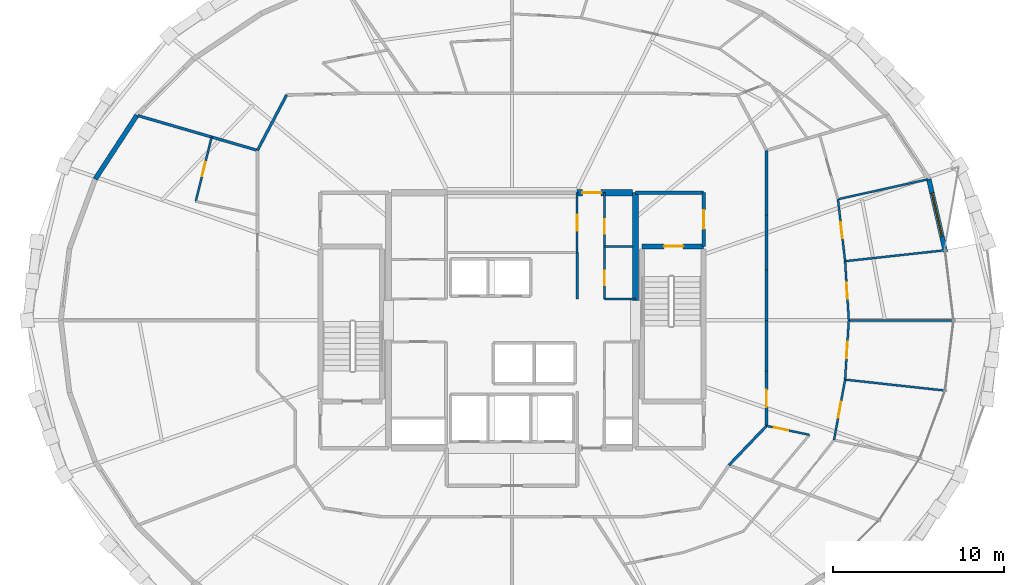
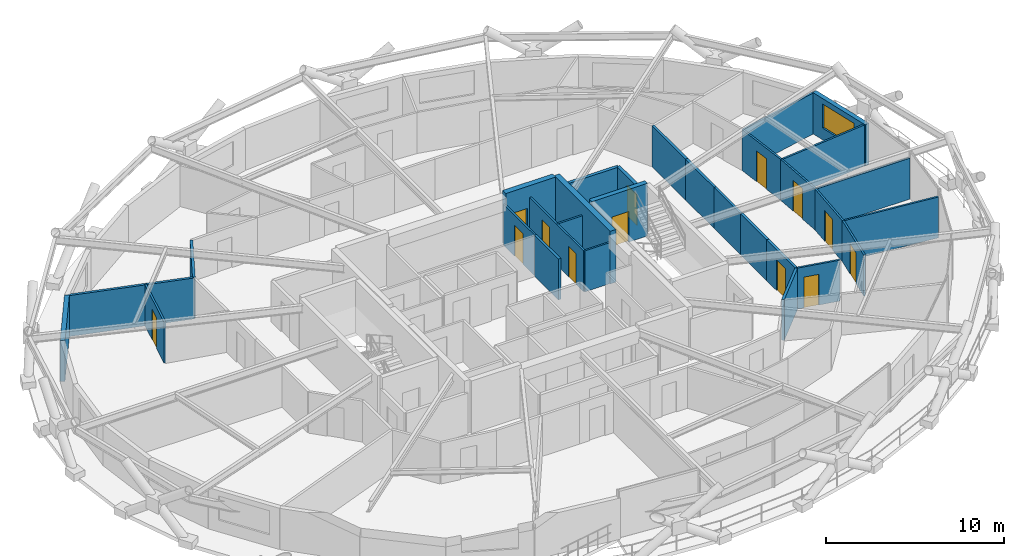
# One storey, part 17 of 20: 30 walls, 13 doors, 1 window, 14 openings.
"""IFC4 building model written with IfcOpenShell, lengths in metres."""

import ifcopenshell
import ifcopenshell.guid

model = None  # the IFC model being written
_history = None  # IfcOwnerHistory: only IFC2X3 demands one
_inside = {}  # id of a spatial element -> (the spatial element, [elements in it])
_under = {}  # id of a project, library or spatial element -> (it, [spatial elements below it])
_declared = {}  # id of a project -> (the project, [libraries it declares])
_typed = {}  # id of a type object -> (the type object, [elements of that type])
_made_of = {}  # id of a material, layer set ... -> (it, [elements and type objects made of it])


def new_model(schema):
    """Start an empty IFC model of exactly this schema.

    Asked for "IFC4X3", IfcOpenShell would pick the latest addendum, in which some entities
    have other attributes; the version numbers below select the first issue.
    IFC2X3 requires an IfcOwnerHistory on every rooted entity: one is made here for all.
    """
    global model, _history
    if schema == "IFC4X3":
        model = ifcopenshell.file(schema_version=(4, 3, 0, 0))
    else:
        model = ifcopenshell.file(schema=schema)
    _inside.clear()
    _under.clear()
    _declared.clear()
    _typed.clear()
    _made_of.clear()
    _history = None
    if model.schema == "IFC2X3":
        org = make("IfcOrganization", Name="unknown")
        user = make(
            "IfcPersonAndOrganization",
            ThePerson=make("IfcPerson", FamilyName="unknown"),
            TheOrganization=org,
        )
        app = make(
            "IfcApplication",
            ApplicationDeveloper=org,
            Version="unknown",
            ApplicationFullName="unknown",
            ApplicationIdentifier="unknown",
        )
        _history = make(
            "IfcOwnerHistory",
            OwningUser=user,
            OwningApplication=app,
            ChangeAction="ADDED",
            CreationDate=0,
        )
    return model


def make(cls, **values):
    """One entity of the class cls with the attributes given. An attribute that is None is left unset."""
    return model.create_entity(
        cls, **{name: value for name, value in values.items() if value is not None}
    )


def rooted(cls, **values):
    """An entity with a GlobalId (a new one), such as an element, a storey or a relation."""
    return make(cls, GlobalId=ifcopenshell.guid.new(), OwnerHistory=_history, **values)


def si_unit(unit_type, name, prefix=None):
    """IfcSIUnit, for example si_unit("LENGTHUNIT", "METRE", prefix="MILLI")."""
    return make("IfcSIUnit", UnitType=unit_type, Prefix=prefix, Name=name)


def assignment(units):
    """IfcUnitAssignment: the units of a project."""
    return None if units is None else make("IfcUnitAssignment", Units=units)


def point(xyz):
    """IfcCartesianPoint."""
    return None if xyz is None else make("IfcCartesianPoint", Coordinates=xyz)


def direction(xyz):
    """IfcDirection."""
    return None if xyz is None else make("IfcDirection", DirectionRatios=xyz)


def frame(location, z_axis=None, x_axis=None):
    """IfcAxis2Placement3D, a coordinate frame: its origin and axes. An axis left out is left unset."""
    return make(
        "IfcAxis2Placement3D",
        Location=point(location),
        Axis=direction(z_axis),
        RefDirection=direction(x_axis),
    )


def frame_2d(location, x_axis=None):
    """IfcAxis2Placement2D, a coordinate frame in the plane: its origin and x axis."""
    return make(
        "IfcAxis2Placement2D", Location=point(location), RefDirection=direction(x_axis)
    )


def origin():
    """The frame at (0, 0, 0) with its axes left unset."""
    return frame((0.0, 0.0, 0.0))


def place(relative_to, where):
    """IfcLocalPlacement: puts the frame where relative to a parent placement (None: the world)."""
    return make(
        "IfcLocalPlacement", PlacementRelTo=relative_to, RelativePlacement=where
    )


def context(
    kind, dimensions, precision=None, world=None, true_north=None, identifier=None
):
    """IfcGeometricRepresentationContext, for example the 3D "Model" context."""
    return make(
        "IfcGeometricRepresentationContext",
        ContextIdentifier=identifier,
        ContextType=kind,
        CoordinateSpaceDimension=dimensions,
        Precision=precision,
        WorldCoordinateSystem=world,
        TrueNorth=true_north,
    )


def subcontext(parent, identifier, kind, view, scale=None):
    """IfcGeometricRepresentationSubContext, for example "Body" below "Model"."""
    return make(
        "IfcGeometricRepresentationSubContext",
        ContextIdentifier=identifier,
        ContextType=kind,
        ParentContext=parent,
        TargetScale=scale,
        TargetView=view,
    )


def project(units=None, contexts=None):
    """IfcProject with its units and contexts."""
    return rooted(
        "IfcProject",
        Name="project",
        RepresentationContexts=contexts,
        UnitsInContext=assignment(units),
    )


def spatial(cls, under=None, at=None, **own):
    """A site, building, storey or space (cls), placed at a placement, below another one or the project."""
    s = rooted(cls, ObjectPlacement=at, **own)
    if under is not None:
        _under.setdefault(under.id(), (under, []))[1].append(s)
    return s


def profile(cls, at=None, kind="AREA", **sizes):
    """A parametric profile (cls). Its sizes go by their IFC names, for example OverallWidth=200.0."""
    return make(cls, ProfileType=kind, Position=at, **sizes)


def rectangle(**sizes):
    """IfcRectangleProfileDef."""
    return profile("IfcRectangleProfileDef", **sizes)


def extrude(swept, where, along, depth):
    """IfcExtrudedAreaSolid: the profile swept, set in the frame where, extruded along a direction by depth."""
    return make(
        "IfcExtrudedAreaSolid",
        SweptArea=swept,
        Position=where,
        ExtrudedDirection=direction(along),
        Depth=depth,
    )


def shape(context_of_items, identifier, shape_type, items):
    """IfcShapeRepresentation: the items that make up one representation, for example the "Body"."""
    return make(
        "IfcShapeRepresentation",
        ContextOfItems=context_of_items,
        RepresentationIdentifier=identifier,
        RepresentationType=shape_type,
        Items=items,
    )


def material(Name=None, Category=None):
    """IfcMaterial."""
    return make("IfcMaterial", Name=Name, Category=Category)


def layer(
    of_material, thickness, ventilated=None, Name=None, Category=None, Priority=None
):
    """IfcMaterialLayer: one layer of a wall or slab, of a material (None: an air gap)."""
    return make(
        "IfcMaterialLayer",
        Material=of_material,
        LayerThickness=thickness,
        IsVentilated=ventilated,
        Name=Name,
        Category=Category,
        Priority=Priority,
    )


def layer_set(layers, Name=None):
    """IfcMaterialLayerSet."""
    return make("IfcMaterialLayerSet", MaterialLayers=layers, LayerSetName=Name)


def made_of(thing, what):
    """Note that an element or type object is made of a material, layer set ...; save() writes the relation."""
    if what is not None:
        _made_of.setdefault(what.id(), (what, []))[1].append(thing)
    return thing


def type_object(cls, material=None, **own):
    """A type object (cls), such as IfcWallType, which elements share."""
    return made_of(rooted(cls, **own), material)


def element(
    cls,
    number,
    at=None,
    inside=None,
    cuts=None,
    type_object=None,
    material=None,
    context=None,
    identifier="Body",
    shape_type=None,
    held_by="IfcProductDefinitionShape",
    body=None,
    shapes=None,
    **own,
):
    """One element of the class cls, such as IfcWall. Its Tag is "e" and its number.

    at: its placement. inside: the storey or other place that contains it. cuts: it is an
    opening in that element (IfcRelVoidsElement). A single representation is given by context,
    identifier, shape_type and body (its items); several are given by shapes. held_by: the class
    of the entity that holds the representations. save() writes the other relations.
    """
    e = rooted(cls, Tag="e%d" % number, ObjectPlacement=at, **own)
    if body is not None:
        shapes = [shape(context, identifier, shape_type, body)]
    if shapes is not None:
        e.Representation = make(held_by, Representations=shapes)
    if inside is not None:
        _inside.setdefault(inside.id(), (inside, []))[1].append(e)
    if cuts is not None:
        rooted(
            "IfcRelVoidsElement", RelatingBuildingElement=cuts, RelatedOpeningElement=e
        )
    if type_object is not None:
        _typed.setdefault(type_object.id(), (type_object, []))[1].append(e)
    return made_of(e, material)


def fill(opening, filler):
    """IfcRelFillsElement: the door or window that sits in an opening."""
    return rooted(
        "IfcRelFillsElement",
        RelatingOpeningElement=opening,
        RelatedBuildingElement=filler,
    )


def aggregate(whole, parts):
    """IfcRelAggregates: a whole, such as a stair, and the parts it consists of."""
    return rooted("IfcRelAggregates", RelatingObject=whole, RelatedObjects=parts)


def save(model, path):
    """Write the relations noted so far, then the file.

    IfcRelAggregates (storeys below a building ...), IfcRelContainedInSpatialStructure (elements
    in a storey), IfcRelDefinesByType, IfcRelAssociatesMaterial and IfcRelDeclares: one each for
    every whole, place, type object, material and project.
    """
    for whole, parts in _under.values():
        aggregate(whole, parts)
    for where, things in _inside.values():
        rooted(
            "IfcRelContainedInSpatialStructure",
            RelatedElements=things,
            RelatingStructure=where,
        )
    for kind, things in _typed.values():
        rooted("IfcRelDefinesByType", RelatedObjects=things, RelatingType=kind)
    for what, things in _made_of.values():
        rooted("IfcRelAssociatesMaterial", RelatedObjects=things, RelatingMaterial=what)
    for by, libraries in _declared.values():
        rooted("IfcRelDeclares", RelatingContext=by, RelatedDefinitions=libraries)
    model.write(path)


model = new_model("IFC4")

# Units and contexts
model_context = context("Model", 3, precision=1e-05, world=origin(), true_north=direction((0.0, 1.0)))
body_context = subcontext(model_context, "Body", "Model", "MODEL_VIEW")
ifc_project = project(units=[si_unit("LENGTHUNIT", "METRE"), si_unit("AREAUNIT", "SQUARE_METRE"), si_unit("VOLUMEUNIT", "CUBIC_METRE"), si_unit("PLANEANGLEUNIT", "RADIAN"), si_unit("MASSUNIT", "GRAM", prefix="KILO")], contexts=[model_context])

# Site, building, storey
site_placement = place(None, origin())
site = spatial("IfcSite", under=ifc_project, at=site_placement, CompositionType="ELEMENT")
building_placement = place(site_placement, origin())
building = spatial("IfcBuilding", under=site, at=building_placement, Name="Veldorina Hangang Commons", CompositionType="ELEMENT")
storey_placement = place(building_placement, frame((0.0, 0.0, 153.199951171875)))
storey = spatial("IfcBuildingStorey", under=building, at=storey_placement, Name="L39", CompositionType="ELEMENT", Elevation=153.199951171875)

# Wall
ifc_material_1 = material(Name="Concrete C60/75", Category="concrete")
ifc_layer_1 = layer(ifc_material_1, 0.360107421875)
ifc_layer_set_1 = layer_set([ifc_layer_1], Name="Concrete C60/75")
wall_type_1 = type_object("IfcWallType", Name="CW-RC360-C60", PredefinedType="SHEAR", material=ifc_layer_set_1)
wall_1_placement = place(storey_placement, frame((39.199951171875, 25.14990234375, 0.0), z_axis=(0.0, 0.0, 1.0), x_axis=(0.0, 1.0, 0.0)))
element("IfcWall", 1, at=wall_1_placement, inside=storey, type_object=wall_type_1, Name="L39 E north core shear wall", PredefinedType="SHEAR", context=body_context, shape_type="SweptSolid", body=[
    extrude(rectangle(XDim=6.300048828125, YDim=0.360107421875, at=frame_2d((3.14990234375, 0.0))), origin(), (0.0, 0.0, 1.0), 3.60009765625),
])

# Wall, opening, door
wall_2_placement = place(storey_placement, frame((35.800048828125, 31.449951171875, 0.0), z_axis=(0.0, 0.0, 1.0), x_axis=(1.0, 0.0, 0.0)))
wall_2 = element("IfcWall", 2, at=wall_2_placement, inside=storey, type_object=wall_type_1, Name="L39 north-east core shear wall", PredefinedType="SHEAR", context=body_context, shape_type="SweptSolid", body=[
    extrude(rectangle(XDim=3.219970703125, YDim=0.360107421875, at=frame_2d((1.60986328125, 0.0))), origin(), (0.0, 0.0, 1.0), 3.60009765625),
])
opening_1_placement = place(wall_2_placement, frame((0.300048828125, 0.0, 0.0)))
opening_1 = element("IfcOpeningElement", 3, at=opening_1_placement, cuts=wall_2, Name="Opening D-08", PredefinedType="OPENING", context=body_context, shape_type="SweptSolid", body=[
    extrude(rectangle(XDim=1.10009765625, YDim=2.10009765625, at=frame_2d((0.550048828125, 1.050048828125))), frame((0.0, 0.18994140625, 0.0), z_axis=(0.0, -1.0, 0.0), x_axis=(1.0, 0.0, 0.0)), (0.0, 0.0, 1.0), 0.380126953125),
])
ifc_material_2 = material(Name="Steel Fire-Rated Smoke Seal", Category="steel")
door_type_1 = type_object("IfcDoorType", Name="DR-FIRE-1100", OperationType="SINGLE_SWING_RIGHT", PredefinedType="DOOR", material=ifc_material_2)
door_1_placement = place(opening_1_placement, origin())
door_1 = element("IfcDoor", 4, at=door_1_placement, inside=storey, type_object=door_type_1, Name="L39 central lift lobby north corridor door", OperationType="SINGLE_SWING_LEFT", OverallHeight=2.10009765625, OverallWidth=1.10009765625, PredefinedType="DOOR", context=body_context, shape_type="SweptSolid", body=[
    extrude(rectangle(XDim=1.10009765625, YDim=2.10009765625, at=frame_2d((0.550048828125, 1.050048828125))), frame((0.0, 0.02490234375, 0.0), z_axis=(0.0, -1.0, 0.0), x_axis=(1.0, 0.0, 0.0)), (0.0, 0.0, 1.0), 0.050048828125),
])
fill(opening_1, door_1)

# Wall, opening, window
ifc_material_3 = material(Name="Stone Roman Travertine", Category="masonry")
ifc_layer_2 = layer(ifc_material_3, 0.280029296875)
ifc_layer_set_2 = layer_set([ifc_layer_2], Name="Stone Roman Travertine")
wall_type_2 = type_object("IfcWallType", Name="EW-TRAV-280", PredefinedType="STANDARD", material=ifc_layer_set_2)
wall_3_placement = place(storey_placement, frame((57.2861328125, 28.002685546875, 0.0), z_axis=(0.0, 0.0, 1.0), x_axis=(-0.222841571078, 0.974854673374, 0.0)))
wall_3 = element("IfcWall", 5, at=wall_3_placement, inside=storey, type_object=wall_type_2, Name="L39 travertine facade wall 01", PredefinedType="STANDARD", context=body_context, shape_type="SweptSolid", body=[
    extrude(rectangle(XDim=4.348388671875, YDim=0.280029296875, at=frame_2d((2.17431640625, 0.0))), origin(), (0.0, 0.0, 1.0), 2.820068359375),
])
opening_2_placement = place(wall_3_placement, frame((0.920166015625, 0.0, 0.800048828125)))
opening_2 = element("IfcOpeningElement", 6, at=opening_2_placement, cuts=wall_3, Name="Opening W-02", PredefinedType="OPENING", context=body_context, shape_type="SweptSolid", body=[
    extrude(rectangle(XDim=2.60009765625, YDim=1.64990234375, at=frame_2d((1.300048828125, 0.824951171875))), frame((0.0, 0.14990234375, 0.0), z_axis=(0.0, -1.0, 0.0), x_axis=(1.0, 0.0, 0.0)), (0.0, 0.0, 1.0), 0.300048828125),
])
ifc_material_4 = material(Name="Glass Low-E Triple IGU", Category="glass")
window_type = type_object("IfcWindowType", Name="WIN-TWR-2600", PartitioningType="SINGLE_PANEL", PredefinedType="WINDOW", material=ifc_material_4)
window_placement = place(opening_2_placement, origin())
window = element("IfcWindow", 7, at=window_placement, inside=storey, type_object=window_type, Name="L39 facade window 01", OverallHeight=1.64990234375, OverallWidth=2.60009765625, PartitioningType="SINGLE_PANEL", PredefinedType="WINDOW", context=body_context, shape_type="SweptSolid", body=[
    extrude(rectangle(XDim=2.60009765625, YDim=1.64990234375, at=frame_2d((1.300048828125, 0.824951171875))), frame((0.0, 0.030029296875, 0.0), z_axis=(0.0, -1.0, 0.0), x_axis=(1.0, 0.0, 0.0)), (0.0, 0.0, 1.0), 0.06005859375),
])
fill(opening_2, window)

# Wall
wall_4_placement = place(storey_placement, frame((10.115234375, 35.965087890625, 0.0), z_axis=(0.0, 0.0, 1.0), x_axis=(-0.546910623985, -0.837190999338, 0.0)))
element("IfcWall", 8, at=wall_4_placement, inside=storey, type_object=wall_type_2, Name="L39 travertine facade wall 13", PredefinedType="STANDARD", context=body_context, shape_type="SweptSolid", body=[
    extrude(rectangle(XDim=4.447509765625, YDim=0.280029296875, at=frame_2d((2.2236328125, 0.0))), origin(), (0.0, 0.0, 1.0), 2.820068359375),
])

# Wall, opening, door
ifc_material_5 = material(Name="Concrete C50/60", Category="concrete")
ifc_layer_3 = layer(ifc_material_5, 0.300048828125)
ifc_layer_set_3 = layer_set([ifc_layer_3], Name="Concrete C50/60")
wall_type_3 = type_object("IfcWallType", Name="SW-STAIR-300", PredefinedType="SHEAR", material=ifc_layer_set_3)
wall_5_placement = place(storey_placement, frame((39.580078125, 28.320068359375, 0.0), z_axis=(0.0, 0.0, 1.0), x_axis=(1.0, 0.0, 0.0)))
wall_5 = element("IfcWall", 9, at=wall_5_placement, inside=storey, type_object=wall_type_3, Name="L39 ST2 north stair shear wall", PredefinedType="SHEAR", context=body_context, shape_type="SweptSolid", body=[
    extrude(rectangle(XDim=3.599853515625, YDim=0.300048828125, at=frame_2d((1.7998046875, 0.0))), origin(), (0.0, 0.0, 1.0), 3.60009765625),
])
opening_3_placement = place(wall_5_placement, frame((1.300048828125, 0.0, 0.0)))
opening_3 = element("IfcOpeningElement", 10, at=opening_3_placement, cuts=wall_5, Name="Opening D-08", PredefinedType="OPENING", context=body_context, shape_type="SweptSolid", body=[
    extrude(rectangle(XDim=1.10009765625, YDim=2.10009765625, at=frame_2d((0.550048828125, 1.050048828125))), frame((0.0, 0.16015625, 0.0), z_axis=(0.0, -1.0, 0.0), x_axis=(1.0, 0.0, 0.0)), (0.0, 0.0, 1.0), 0.320068359375),
])
door_2_placement = place(opening_3_placement, origin())
door_2 = element("IfcDoor", 11, at=door_2_placement, inside=storey, type_object=door_type_1, Name="L39 Special Escape Stair ST-2 door", OperationType="SINGLE_SWING_RIGHT", OverallHeight=2.10009765625, OverallWidth=1.10009765625, PredefinedType="DOOR", context=body_context, shape_type="SweptSolid", body=[
    extrude(rectangle(XDim=1.10009765625, YDim=2.10009765625, at=frame_2d((0.550048828125, 1.050048828125))), frame((0.0, 0.02490234375, 0.0), z_axis=(0.0, -1.0, 0.0), x_axis=(1.0, 0.0, 0.0)), (0.0, 0.0, 1.0), 0.050048828125),
])
fill(opening_3, door_2)

# Walls
ifc_material_6 = material(Name="Gypsum Fire-Rated Twin Stud Wall", Category="gypsum")
ifc_layer_4 = layer(ifc_material_6, 0.159912109375)
ifc_layer_set_4 = layer_set([ifc_layer_4], Name="Gypsum Fire-Rated Twin Stud Wall")
wall_type_4 = type_object("IfcWallType", Name="WL-FIRE-160", PredefinedType="SOLIDWALL", material=ifc_layer_set_4)
wall_6_placement = place(storey_placement, frame((35.800048828125, 25.25, 0.0), z_axis=(0.0, 0.0, 1.0), x_axis=(0.0, 1.0, 0.0)))
element("IfcWall", 12, at=wall_6_placement, inside=storey, type_object=wall_type_4, Name="L39 Lift passage NW lower wall 011", PredefinedType="SOLIDWALL", context=body_context, shape_type="SweptSolid", body=[
    extrude(rectangle(XDim=2.699951171875, YDim=0.159912109375, at=frame_2d((1.35009765625, 0.0))), origin(), (0.0, 0.0, 1.0), 2.800048828125),
])
wall_7_placement = place(storey_placement, frame((46.85009765625, 24.0, 0.0), z_axis=(0.0, 0.0, 1.0), x_axis=(0.0, 1.0, 0.0)))
element("IfcWall", 13, at=wall_7_placement, inside=storey, type_object=wall_type_4, Name="L39 U-corridor outer wall 00 046", PredefinedType="SOLIDWALL", context=body_context, shape_type="SweptSolid", body=[
    extrude(rectangle(XDim=2.953857421875, YDim=0.159912109375, at=frame_2d((1.47705078125, 0.0))), origin(), (0.0, 0.0, 1.0), 2.800048828125),
])
wall_8_placement = place(storey_placement, frame((46.85009765625, 26.953857421875, 0.0), z_axis=(0.0, 0.0, 1.0), x_axis=(0.0, 1.0, 0.0)))
element("IfcWall", 14, at=wall_8_placement, inside=storey, type_object=wall_type_4, Name="L39 U-corridor outer wall 01 047", PredefinedType="SOLIDWALL", context=body_context, shape_type="SweptSolid", body=[
    extrude(rectangle(XDim=3.197265625, YDim=0.159912109375, at=frame_2d((1.5986328125, 0.0))), origin(), (0.0, 0.0, 1.0), 2.800048828125),
])
wall_9_placement = place(storey_placement, frame((46.85009765625, 30.151123046875, 0.0), z_axis=(0.0, 0.0, 1.0), x_axis=(0.0, 1.0, 0.0)))
element("IfcWall", 15, at=wall_9_placement, inside=storey, type_object=wall_type_4, Name="L39 U-corridor outer wall 02 048", PredefinedType="SOLIDWALL", context=body_context, shape_type="SweptSolid", body=[
    extrude(rectangle(XDim=3.771484375, YDim=0.159912109375, at=frame_2d((1.8857421875, 0.0))), origin(), (0.0, 0.0, 1.0), 2.800048828125),
])
wall_10_placement = place(storey_placement, frame((18.85009765625, 37.14990234375, 0.0), z_axis=(0.0, 0.0, 1.0), x_axis=(-0.466093963429, -0.884735224378, 0.0)))
element("IfcWall", 16, at=wall_10_placement, inside=storey, type_object=wall_type_4, Name="L39 U-corridor outer wall 12 058", PredefinedType="SOLIDWALL", context=body_context, shape_type="SweptSolid", body=[
    extrude(rectangle(XDim=3.647705078125, YDim=0.159912109375, at=frame_2d((1.82373046875, 0.0))), origin(), (0.0, 0.0, 1.0), 2.800048828125),
])
wall_11_placement = place(storey_placement, frame((44.64990234375, 15.547607421875, 0.0), z_axis=(0.0, 0.0, 1.0), x_axis=(0.691055487108, 0.722801711216, 0.0)))
element("IfcWall", 17, at=wall_11_placement, inside=storey, type_object=wall_type_4, Name="L39 U-corridor outer wall 29 075", PredefinedType="SOLIDWALL", context=body_context, shape_type="SweptSolid", body=[
    extrude(rectangle(XDim=3.183837890625, YDim=0.159912109375, at=frame_2d((1.591796875, 0.0))), origin(), (0.0, 0.0, 1.0), 2.800048828125),
])

# Wall, opening, door
wall_12_placement = place(storey_placement, frame((46.85009765625, 17.848876953125, 0.0), z_axis=(0.0, 0.0, 1.0), x_axis=(0.0, 1.0, 0.0)))
wall_12 = element("IfcWall", 18, at=wall_12_placement, inside=storey, type_object=wall_type_4, Name="L39 U-corridor outer wall 30 076", PredefinedType="SOLIDWALL", context=body_context, shape_type="SweptSolid", body=[
    extrude(rectangle(XDim=3.197265625, YDim=0.159912109375, at=frame_2d((1.5986328125, 0.0))), origin(), (0.0, 0.0, 1.0), 2.800048828125),
])
opening_4_placement = place(wall_12_placement, frame((1.0986328125, 0.0, 0.0)))
opening_4 = element("IfcOpeningElement", 19, at=opening_4_placement, cuts=wall_12, Name="Opening D-06", PredefinedType="OPENING", context=body_context, shape_type="SweptSolid", body=[
    extrude(rectangle(XDim=1.0, YDim=2.10009765625, at=frame_2d((0.5, 1.050048828125))), frame((0.0, 0.08984375, 0.0), z_axis=(0.0, -1.0, 0.0), x_axis=(1.0, 0.0, 0.0)), (0.0, 0.0, 1.0), 0.179931640625),
])
ifc_material_7 = material(Name="Timber Fire-Rated Entrance Core", Category="wood")
door_type_2 = type_object("IfcDoorType", Name="DR-UNIT-1000", OperationType="SINGLE_SWING_LEFT", PredefinedType="DOOR", material=ifc_material_7)
door_3_placement = place(opening_4_placement, origin())
door_3 = element("IfcDoor", 20, at=door_3_placement, inside=storey, type_object=door_type_2, Name="L39 Cluster 2 entrance door 021", OperationType="SINGLE_SWING_LEFT", OverallHeight=2.10009765625, OverallWidth=1.0, PredefinedType="DOOR", context=body_context, shape_type="SweptSolid", body=[
    extrude(rectangle(XDim=1.0, YDim=2.10009765625, at=frame_2d((0.5, 1.050048828125))), frame((0.0, 0.02490234375, 0.0), z_axis=(0.0, -1.0, 0.0), x_axis=(1.0, 0.0, 0.0)), (0.0, 0.0, 1.0), 0.050048828125),
])
fill(opening_4, door_3)

# Walls
wall_13_placement = place(storey_placement, frame((46.85009765625, 21.046142578125, 0.0), z_axis=(0.0, 0.0, 1.0), x_axis=(0.0, 1.0, 0.0)))
element("IfcWall", 21, at=wall_13_placement, inside=storey, type_object=wall_type_4, Name="L39 U-corridor outer wall 31 077", PredefinedType="SOLIDWALL", context=body_context, shape_type="SweptSolid", body=[
    extrude(rectangle(XDim=2.953857421875, YDim=0.159912109375, at=frame_2d((1.47705078125, 0.0))), origin(), (0.0, 0.0, 1.0), 2.800048828125),
])
wall_14_placement = place(storey_placement, frame((17.14990234375, 33.922607421875, 0.0), z_axis=(0.0, 0.0, 1.0), x_axis=(-0.960341299292, 0.278827166672, 0.0)))
element("IfcWall", 22, at=wall_14_placement, inside=storey, type_object=wall_type_4, Name="L39 Unit party wall 13 110", PredefinedType="SOLIDWALL", context=body_context, shape_type="SweptSolid", body=[
    extrude(rectangle(XDim=7.275390625, YDim=0.159912109375, at=frame_2d((3.6376953125, 0.0))), origin(), (0.0, 0.0, 1.0), 2.800048828125),
])

# Wall, opening, door
ifc_material_8 = material(Name="Concrete Blockwork Fire Wall C30/37", Category="masonry")
ifc_layer_5 = layer(ifc_material_8, 0.199951171875)
ifc_layer_set_5 = layer_set([ifc_layer_5], Name="Concrete Blockwork Fire Wall C30/37")
wall_type_5 = type_object("IfcWallType", Name="WL-FIRE-200", PredefinedType="SOLIDWALL", material=ifc_layer_set_5)
wall_15_placement = place(storey_placement, frame((43.179931640625, 28.320068359375, 0.0), z_axis=(0.0, 0.0, 1.0), x_axis=(0.0, 1.0, 0.0)))
wall_15 = element("IfcWall", 23, at=wall_15_placement, inside=storey, type_object=wall_type_5, Name="L39 East vestibule outer wall 003", PredefinedType="SOLIDWALL", context=body_context, shape_type="SweptSolid", body=[
    extrude(rectangle(XDim=3.1298828125, YDim=0.199951171875, at=frame_2d((1.56494140625, 0.0))), origin(), (0.0, 0.0, 1.0), 2.800048828125),
])
opening_5_placement = place(wall_15_placement, frame((1.014892578125, 0.0, 0.0)))
opening_5 = element("IfcOpeningElement", 24, at=opening_5_placement, cuts=wall_15, Name="Opening D-08", PredefinedType="OPENING", context=body_context, shape_type="SweptSolid", body=[
    extrude(rectangle(XDim=1.10009765625, YDim=2.10009765625, at=frame_2d((0.550048828125, 1.050048828125))), frame((0.0, 0.10986328125, 0.0), z_axis=(0.0, -1.0, 0.0), x_axis=(1.0, 0.0, 0.0)), (0.0, 0.0, 1.0), 0.219970703125),
])
door_4_placement = place(opening_5_placement, origin())
door_4 = element("IfcDoor", 25, at=door_4_placement, inside=storey, type_object=door_type_1, Name="L39 East vestibule east door 002", OperationType="SINGLE_SWING_RIGHT", OverallHeight=2.10009765625, OverallWidth=1.10009765625, PredefinedType="DOOR", context=body_context, shape_type="SweptSolid", body=[
    extrude(rectangle(XDim=1.10009765625, YDim=2.10009765625, at=frame_2d((0.550048828125, 1.050048828125))), frame((0.0, 0.02490234375, 0.0), z_axis=(0.0, -1.0, 0.0), x_axis=(1.0, 0.0, 0.0)), (0.0, 0.0, 1.0), 0.050048828125),
])
fill(opening_5, door_4)

# Wall
wall_16_placement = place(storey_placement, frame((39.199951171875, 31.449951171875, 0.0), z_axis=(0.0, 0.0, 1.0), x_axis=(1.0, 0.0, 0.0)))
element("IfcWall", 26, at=wall_16_placement, inside=storey, type_object=wall_type_5, Name="L39 East vestibule north wall 004", PredefinedType="SOLIDWALL", context=body_context, shape_type="SweptSolid", body=[
    extrude(rectangle(XDim=3.97998046875, YDim=0.199951171875, at=frame_2d((1.989990234375, 0.0))), origin(), (0.0, 0.0, 1.0), 2.800048828125),
])

# Wall, opening, door
ifc_material_9 = material(Name="Gypsum Acoustic Stud Partition", Category="gypsum")
ifc_layer_6 = layer(ifc_material_9, 0.1201171875)
ifc_layer_set_6 = layer_set([ifc_layer_6], Name="Gypsum Acoustic Stud Partition")
wall_type_6 = type_object("IfcWallType", Name="WL-PART-120", PredefinedType="PARTITIONING", material=ifc_layer_set_6)
wall_17_placement = place(storey_placement, frame((35.800048828125, 27.949951171875, 0.0), z_axis=(0.0, 0.0, 1.0), x_axis=(0.0, 1.0, 0.0)))
wall_17 = element("IfcWall", 27, at=wall_17_placement, inside=storey, type_object=wall_type_6, Name="L39 Merged north east wall 033", PredefinedType="PARTITIONING", context=body_context, shape_type="SweptSolid", body=[
    extrude(rectangle(XDim=3.5, YDim=0.1201171875, at=frame_2d((1.75, 0.0))), origin(), (0.0, 0.0, 1.0), 2.800048828125),
])
opening_6_placement = place(wall_17_placement, frame((1.27490234375, 0.0, 0.0)))
opening_6 = element("IfcOpeningElement", 28, at=opening_6_placement, cuts=wall_17, Name="Opening D-02", PredefinedType="OPENING", context=body_context, shape_type="SweptSolid", body=[
    extrude(rectangle(XDim=0.949951171875, YDim=2.10009765625, at=frame_2d((0.47509765625, 1.050048828125))), frame((0.0, 0.070068359375, 0.0), z_axis=(0.0, -1.0, 0.0), x_axis=(1.0, 0.0, 0.0)), (0.0, 0.0, 1.0), 0.14013671875),
])
ifc_material_10 = material(Name="Timber Solid Core Acoustic", Category="wood")
door_type_3 = type_object("IfcDoorType", Name="DR-INT-950", OperationType="SINGLE_SWING_LEFT", PredefinedType="DOOR", material=ifc_material_10)
door_5_placement = place(opening_6_placement, origin())
door_5 = element("IfcDoor", 29, at=door_5_placement, inside=storey, type_object=door_type_3, Name="L39 Merged north room lobby door 011", OperationType="SINGLE_SWING_LEFT", OverallHeight=2.10009765625, OverallWidth=0.949951171875, PredefinedType="DOOR", context=body_context, shape_type="SweptSolid", body=[
    extrude(rectangle(XDim=0.949951171875, YDim=2.10009765625, at=frame_2d((0.47509765625, 1.050048828125))), frame((0.0, 0.02490234375, 0.0), z_axis=(0.0, -1.0, 0.0), x_axis=(1.0, 0.0, 0.0)), (0.0, 0.0, 1.0), 0.050048828125),
])
fill(opening_6, door_5)

# Wall, openings, doors
wall_18_placement = place(storey_placement, frame((37.39990234375, 25.25, 0.0), z_axis=(0.0, 0.0, 1.0), x_axis=(0.0, 1.0, 0.0)))
wall_18 = element("IfcWall", 30, at=wall_18_placement, inside=storey, type_object=wall_type_6, Name="L39 NE strip lobby wall 040", PredefinedType="PARTITIONING", context=body_context, shape_type="SweptSolid", body=[
    extrude(rectangle(XDim=6.199951171875, YDim=0.1201171875, at=frame_2d((3.10009765625, 0.0))), origin(), (0.0, 0.0, 1.0), 2.800048828125),
])
opening_7_placement = place(wall_18_placement, frame((0.800048828125, 0.0, 0.0)))
opening_7 = element("IfcOpeningElement", 31, at=opening_7_placement, cuts=wall_18, Name="Opening D-01", PredefinedType="OPENING", context=body_context, shape_type="SweptSolid", body=[
    extrude(rectangle(XDim=0.860107421875, YDim=2.10009765625, at=frame_2d((0.43017578125, 1.050048828125))), frame((0.0, 0.070068359375, 0.0), z_axis=(0.0, -1.0, 0.0), x_axis=(1.0, 0.0, 0.0)), (0.0, 0.0, 1.0), 0.14013671875),
])
opening_8_placement = place(wall_18_placement, frame((3.800048828125, 0.0, 0.0)))
opening_8 = element("IfcOpeningElement", 32, at=opening_8_placement, cuts=wall_18, Name="Opening D-01", PredefinedType="OPENING", context=body_context, shape_type="SweptSolid", body=[
    extrude(rectangle(XDim=0.860107421875, YDim=2.10009765625, at=frame_2d((0.43017578125, 1.050048828125))), frame((0.0, 0.070068359375, 0.0), z_axis=(0.0, -1.0, 0.0), x_axis=(1.0, 0.0, 0.0)), (0.0, 0.0, 1.0), 0.14013671875),
])
ifc_material_11 = material(Name="Timber Moisture-Resistant Core", Category="wood")
door_type_4 = type_object("IfcDoorType", Name="DR-WET-860", OperationType="SINGLE_SWING_LEFT", PredefinedType="DOOR", material=ifc_material_11)
door_6_placement = place(opening_7_placement, origin())
door_6 = element("IfcDoor", 33, at=door_6_placement, inside=storey, type_object=door_type_4, Name="L39 Electrical closet door 015", OperationType="SINGLE_SWING_LEFT", OverallHeight=2.10009765625, OverallWidth=0.860107421875, PredefinedType="DOOR", context=body_context, shape_type="SweptSolid", body=[
    extrude(rectangle(XDim=0.860107421875, YDim=2.10009765625, at=frame_2d((0.43017578125, 1.050048828125))), frame((0.0, 0.02490234375, 0.0), z_axis=(0.0, -1.0, 0.0), x_axis=(1.0, 0.0, 0.0)), (0.0, 0.0, 1.0), 0.050048828125),
])
fill(opening_7, door_6)
door_7_placement = place(opening_8_placement, origin())
door_7 = element("IfcDoor", 34, at=door_7_placement, inside=storey, type_object=door_type_4, Name="L39 IT closet door 016", OperationType="SINGLE_SWING_RIGHT", OverallHeight=2.10009765625, OverallWidth=0.860107421875, PredefinedType="DOOR", context=body_context, shape_type="SweptSolid", body=[
    extrude(rectangle(XDim=0.860107421875, YDim=2.10009765625, at=frame_2d((0.43017578125, 1.050048828125))), frame((0.0, 0.02490234375, 0.0), z_axis=(0.0, -1.0, 0.0), x_axis=(1.0, 0.0, 0.0)), (0.0, 0.0, 1.0), 0.050048828125),
])
fill(opening_8, door_7)

# Walls
wall_19_placement = place(storey_placement, frame((37.39990234375, 25.25, 0.0), z_axis=(0.0, 0.0, 1.0), x_axis=(1.0, 0.0, 0.0)))
element("IfcWall", 35, at=wall_19_placement, inside=storey, type_object=wall_type_6, Name="L39 NE strip south return wall 041", PredefinedType="PARTITIONING", context=body_context, shape_type="SweptSolid", body=[
    extrude(rectangle(XDim=1.800048828125, YDim=0.1201171875, at=frame_2d((0.89990234375, 0.0))), origin(), (0.0, 0.0, 1.0), 2.800048828125),
])
wall_20_placement = place(storey_placement, frame((37.39990234375, 28.300048828125, 0.0), z_axis=(0.0, 0.0, 1.0), x_axis=(1.0, 0.0, 0.0)))
element("IfcWall", 36, at=wall_20_placement, inside=storey, type_object=wall_type_6, Name="L39 NE mid wall 045", PredefinedType="PARTITIONING", context=body_context, shape_type="SweptSolid", body=[
    extrude(rectangle(XDim=1.650146484375, YDim=0.1201171875, at=frame_2d((0.8251953125, 0.0))), origin(), (0.0, 0.0, 1.0), 2.800048828125),
])

# Wall, opening, door
wall_21_placement = place(storey_placement, frame((46.85009765625, 17.848876953125, 0.0), z_axis=(0.0, 0.0, 1.0), x_axis=(0.978719420842, -0.205203058618, 0.0)))
wall_21 = element("IfcWall", 37, at=wall_21_placement, inside=storey, type_object=wall_type_6, Name="L39 Cluster 2 bath side wall 084", PredefinedType="PARTITIONING", context=body_context, shape_type="SweptSolid", body=[
    extrude(rectangle(XDim=2.560302734375, YDim=0.1201171875, at=frame_2d((1.2802734375, 0.0))), origin(), (0.0, 0.0, 1.0), 2.800048828125),
])
opening_9_placement = place(wall_21_placement, frame((0.43994140625, 0.0, 0.0)))
opening_9 = element("IfcOpeningElement", 38, at=opening_9_placement, cuts=wall_21, Name="Opening D-01", PredefinedType="OPENING", context=body_context, shape_type="SweptSolid", body=[
    extrude(rectangle(XDim=0.860107421875, YDim=2.10009765625, at=frame_2d((0.43017578125, 1.050048828125))), frame((0.0, 0.070068359375, 0.0), z_axis=(0.0, -1.0, 0.0), x_axis=(1.0, 0.0, 0.0)), (0.0, 0.0, 1.0), 0.14013671875),
])
door_8_placement = place(opening_9_placement, origin())
door_8 = element("IfcDoor", 39, at=door_8_placement, inside=storey, type_object=door_type_4, Name="L39 Cluster 2 shared bathroom door 020", OperationType="SINGLE_SWING_RIGHT", OverallHeight=2.10009765625, OverallWidth=0.860107421875, PredefinedType="DOOR", context=body_context, shape_type="SweptSolid", body=[
    extrude(rectangle(XDim=0.860107421875, YDim=2.10009765625, at=frame_2d((0.43017578125, 1.050048828125))), frame((0.0, 0.02490234375, 0.0), z_axis=(0.0, -1.0, 0.0), x_axis=(1.0, 0.0, 0.0)), (0.0, 0.0, 1.0), 0.050048828125),
])
fill(opening_9, door_8)

wall_22_placement = place(storey_placement, frame((50.787841796875, 17.0234375, 0.0), z_axis=(0.0, 0.0, 1.0), x_axis=(0.180145354379, 0.983640000862, 0.0)))
wall_22 = element("IfcWall", 40, at=wall_22_placement, inside=storey, type_object=wall_type_6, Name="L39 Cluster 2 bed 2 front wall 086", PredefinedType="PARTITIONING", context=body_context, shape_type="SweptSolid", body=[
    extrude(rectangle(XDim=3.58056640625, YDim=0.1201171875, at=frame_2d((1.790283203125, 0.0))), origin(), (0.0, 0.0, 1.0), 2.800048828125),
])
opening_10_placement = place(wall_22_placement, frame((1.315185546875, 0.0, 0.0)))
opening_10 = element("IfcOpeningElement", 41, at=opening_10_placement, cuts=wall_22, Name="Opening D-02", PredefinedType="OPENING", context=body_context, shape_type="SweptSolid", body=[
    extrude(rectangle(XDim=0.949951171875, YDim=2.10009765625, at=frame_2d((0.47509765625, 1.050048828125))), frame((0.0, 0.070068359375, 0.0), z_axis=(0.0, -1.0, 0.0), x_axis=(1.0, 0.0, 0.0)), (0.0, 0.0, 1.0), 0.14013671875),
])
door_9_placement = place(opening_10_placement, origin())
door_9 = element("IfcDoor", 42, at=door_9_placement, inside=storey, type_object=door_type_3, Name="L39 Cluster 2 bed 2 door 023", OperationType="SINGLE_SWING_LEFT", OverallHeight=2.10009765625, OverallWidth=0.949951171875, PredefinedType="DOOR", context=body_context, shape_type="SweptSolid", body=[
    extrude(rectangle(XDim=0.949951171875, YDim=2.10009765625, at=frame_2d((0.47509765625, 1.050048828125))), frame((0.0, 0.02490234375, 0.0), z_axis=(0.0, -1.0, 0.0), x_axis=(1.0, 0.0, 0.0)), (0.0, 0.0, 1.0), 0.050048828125),
])
fill(opening_10, door_9)

wall_23_placement = place(storey_placement, frame((51.432861328125, 20.54541015625, 0.0), z_axis=(0.0, 0.0, 1.0), x_axis=(0.062913986288, 0.998018952891, 0.0)))
wall_23 = element("IfcWall", 43, at=wall_23_placement, inside=storey, type_object=wall_type_6, Name="L39 Cluster 2 bed 3 front wall 088", PredefinedType="PARTITIONING", context=body_context, shape_type="SweptSolid", body=[
    extrude(rectangle(XDim=3.46142578125, YDim=0.1201171875, at=frame_2d((1.730712890625, 0.0))), origin(), (0.0, 0.0, 1.0), 2.800048828125),
])
opening_11_placement = place(wall_23_placement, frame((1.255859375, 0.0, 0.0)))
opening_11 = element("IfcOpeningElement", 44, at=opening_11_placement, cuts=wall_23, Name="Opening D-02", PredefinedType="OPENING", context=body_context, shape_type="SweptSolid", body=[
    extrude(rectangle(XDim=0.949951171875, YDim=2.10009765625, at=frame_2d((0.47509765625, 1.050048828125))), frame((0.0, 0.070068359375, 0.0), z_axis=(0.0, -1.0, 0.0), x_axis=(1.0, 0.0, 0.0)), (0.0, 0.0, 1.0), 0.14013671875),
])
door_10_placement = place(opening_11_placement, origin())
door_10 = element("IfcDoor", 45, at=door_10_placement, inside=storey, type_object=door_type_3, Name="L39 Cluster 2 bed 3 door 024", OperationType="SINGLE_SWING_RIGHT", OverallHeight=2.10009765625, OverallWidth=0.949951171875, PredefinedType="DOOR", context=body_context, shape_type="SweptSolid", body=[
    extrude(rectangle(XDim=0.949951171875, YDim=2.10009765625, at=frame_2d((0.47509765625, 1.050048828125))), frame((0.0, 0.02490234375, 0.0), z_axis=(0.0, -1.0, 0.0), x_axis=(1.0, 0.0, 0.0)), (0.0, 0.0, 1.0), 0.050048828125),
])
fill(opening_11, door_10)

# Wall
wall_24_placement = place(storey_placement, frame((51.432861328125, 20.54541015625, 0.0), z_axis=(0.0, 0.0, 1.0), x_axis=(0.994075164039, -0.108694839991, 0.0)))
element("IfcWall", 46, at=wall_24_placement, inside=storey, type_object=wall_type_6, Name="L39 Cluster 2 bed divider 2 089", PredefinedType="PARTITIONING", context=body_context, shape_type="SweptSolid", body=[
    extrude(rectangle(XDim=5.8173828125, YDim=0.1201171875, at=frame_2d((2.90869140625, 0.0))), origin(), (0.0, 0.0, 1.0), 2.800048828125),
])

# Wall, opening, door
wall_25_placement = place(storey_placement, frame((51.650634765625, 24.0, 0.0), z_axis=(0.0, 0.0, 1.0), x_axis=(-0.062913986288, 0.998018952891, 0.0)))
wall_25 = element("IfcWall", 47, at=wall_25_placement, inside=storey, type_object=wall_type_6, Name="L39 Cluster 2 bed 4 front wall 090", PredefinedType="PARTITIONING", context=body_context, shape_type="SweptSolid", body=[
    extrude(rectangle(XDim=3.46142578125, YDim=0.1201171875, at=frame_2d((1.730712890625, 0.0))), origin(), (0.0, 0.0, 1.0), 2.800048828125),
])
opening_12_placement = place(wall_25_placement, frame((1.255859375, 0.0, 0.0)))
opening_12 = element("IfcOpeningElement", 48, at=opening_12_placement, cuts=wall_25, Name="Opening D-02", PredefinedType="OPENING", context=body_context, shape_type="SweptSolid", body=[
    extrude(rectangle(XDim=0.949951171875, YDim=2.10009765625, at=frame_2d((0.47509765625, 1.050048828125))), frame((0.0, 0.070068359375, 0.0), z_axis=(0.0, -1.0, 0.0), x_axis=(1.0, 0.0, 0.0)), (0.0, 0.0, 1.0), 0.14013671875),
])
door_11_placement = place(opening_12_placement, origin())
door_11 = element("IfcDoor", 49, at=door_11_placement, inside=storey, type_object=door_type_3, Name="L39 Cluster 2 bed 4 door 025", OperationType="SINGLE_SWING_LEFT", OverallHeight=2.10009765625, OverallWidth=0.949951171875, PredefinedType="DOOR", context=body_context, shape_type="SweptSolid", body=[
    extrude(rectangle(XDim=0.949951171875, YDim=2.10009765625, at=frame_2d((0.47509765625, 1.050048828125))), frame((0.0, 0.02490234375, 0.0), z_axis=(0.0, -1.0, 0.0), x_axis=(1.0, 0.0, 0.0)), (0.0, 0.0, 1.0), 0.050048828125),
])
fill(opening_12, door_11)

# Wall
wall_26_placement = place(storey_placement, frame((51.650634765625, 24.0, 0.0), z_axis=(0.0, 0.0, 1.0), x_axis=(1.0, 0.0, 0.0)))
element("IfcWall", 50, at=wall_26_placement, inside=storey, type_object=wall_type_6, Name="L39 Cluster 2 bed divider 3 091", PredefinedType="PARTITIONING", context=body_context, shape_type="SweptSolid", body=[
    extrude(rectangle(XDim=6.06005859375, YDim=0.1201171875, at=frame_2d((3.030029296875, 0.0))), origin(), (0.0, 0.0, 1.0), 2.800048828125),
])

# Wall, opening, door
wall_27_placement = place(storey_placement, frame((51.432861328125, 27.45458984375, 0.0), z_axis=(0.0, 0.0, 1.0), x_axis=(-0.114685202716, 0.993401884575, 0.0)))
wall_27 = element("IfcWall", 51, at=wall_27_placement, inside=storey, type_object=wall_type_6, Name="L39 Cluster 2 bed 5 front wall 092", PredefinedType="PARTITIONING", context=body_context, shape_type="SweptSolid", body=[
    extrude(rectangle(XDim=3.64013671875, YDim=0.1201171875, at=frame_2d((1.820068359375, 0.0))), origin(), (0.0, 0.0, 1.0), 2.800048828125),
])
opening_13_placement = place(wall_27_placement, frame((1.34521484375, 0.0, 0.0)))
opening_13 = element("IfcOpeningElement", 52, at=opening_13_placement, cuts=wall_27, Name="Opening D-02", PredefinedType="OPENING", context=body_context, shape_type="SweptSolid", body=[
    extrude(rectangle(XDim=0.949951171875, YDim=2.10009765625, at=frame_2d((0.47509765625, 1.050048828125))), frame((0.0, 0.070068359375, 0.0), z_axis=(0.0, -1.0, 0.0), x_axis=(1.0, 0.0, 0.0)), (0.0, 0.0, 1.0), 0.14013671875),
])
door_12_placement = place(opening_13_placement, origin())
door_12 = element("IfcDoor", 53, at=door_12_placement, inside=storey, type_object=door_type_3, Name="L39 Cluster 2 bed 5 door 026", OperationType="SINGLE_SWING_RIGHT", OverallHeight=2.10009765625, OverallWidth=0.949951171875, PredefinedType="DOOR", context=body_context, shape_type="SweptSolid", body=[
    extrude(rectangle(XDim=0.949951171875, YDim=2.10009765625, at=frame_2d((0.47509765625, 1.050048828125))), frame((0.0, 0.02490234375, 0.0), z_axis=(0.0, -1.0, 0.0), x_axis=(1.0, 0.0, 0.0)), (0.0, 0.0, 1.0), 0.050048828125),
])
fill(opening_13, door_12)

# Walls
wall_28_placement = place(storey_placement, frame((51.432861328125, 27.45458984375, 0.0), z_axis=(0.0, 0.0, 1.0), x_axis=(0.994075164039, 0.108694839991, 0.0)))
element("IfcWall", 54, at=wall_28_placement, inside=storey, type_object=wall_type_6, Name="L39 Cluster 2 bed divider 4 093", PredefinedType="PARTITIONING", context=body_context, shape_type="SweptSolid", body=[
    extrude(rectangle(XDim=5.8173828125, YDim=0.1201171875, at=frame_2d((2.90869140625, 0.0))), origin(), (0.0, 0.0, 1.0), 2.800048828125),
])
wall_29_placement = place(storey_placement, frame((51.015380859375, 31.07080078125, 0.0), z_axis=(0.0, 0.0, 1.0), x_axis=(0.976477702839, 0.215618403337, 0.0)))
element("IfcWall", 55, at=wall_29_placement, inside=storey, type_object=wall_type_6, Name="L39 Cluster 2 bed divider 5 095", PredefinedType="PARTITIONING", context=body_context, shape_type="SweptSolid", body=[
    extrude(rectangle(XDim=5.37939453125, YDim=0.1201171875, at=frame_2d((2.689697265625, 0.0))), origin(), (0.0, 0.0, 1.0), 2.800048828125),
])

# Wall, opening, door
wall_30_placement = place(storey_placement, frame((14.476806640625, 34.69873046875, 0.0), z_axis=(0.0, 0.0, 1.0), x_axis=(-0.23913082273, -0.970987358116, 0.0)))
wall_30 = element("IfcWall", 56, at=wall_30_placement, inside=storey, type_object=wall_type_6, Name="L39 Studio 6 bath front wall 111", PredefinedType="PARTITIONING", context=body_context, shape_type="SweptSolid", body=[
    extrude(rectangle(XDim=3.865234375, YDim=0.1201171875, at=frame_2d((1.9326171875, 0.0))), origin(), (0.0, 0.0, 1.0), 2.800048828125),
])
opening_14_placement = place(wall_30_placement, frame((1.502685546875, 0.0, 0.0)))
opening_14 = element("IfcOpeningElement", 57, at=opening_14_placement, cuts=wall_30, Name="Opening D-01", PredefinedType="OPENING", context=body_context, shape_type="SweptSolid", body=[
    extrude(rectangle(XDim=0.860107421875, YDim=2.10009765625, at=frame_2d((0.43017578125, 1.050048828125))), frame((0.0, 0.070068359375, 0.0), z_axis=(0.0, -1.0, 0.0), x_axis=(1.0, 0.0, 0.0)), (0.0, 0.0, 1.0), 0.14013671875),
])
door_13_placement = place(opening_14_placement, origin())
door_13 = element("IfcDoor", 58, at=door_13_placement, inside=storey, type_object=door_type_4, Name="L39 Studio 6 bathroom door 037", OperationType="SINGLE_SWING_LEFT", OverallHeight=2.10009765625, OverallWidth=0.860107421875, PredefinedType="DOOR", context=body_context, shape_type="SweptSolid", body=[
    extrude(rectangle(XDim=0.860107421875, YDim=2.10009765625, at=frame_2d((0.43017578125, 1.050048828125))), frame((0.0, 0.02490234375, 0.0), z_axis=(0.0, -1.0, 0.0), x_axis=(1.0, 0.0, 0.0)), (0.0, 0.0, 1.0), 0.050048828125),
])
fill(opening_14, door_13)

save(model, "model.ifc")
